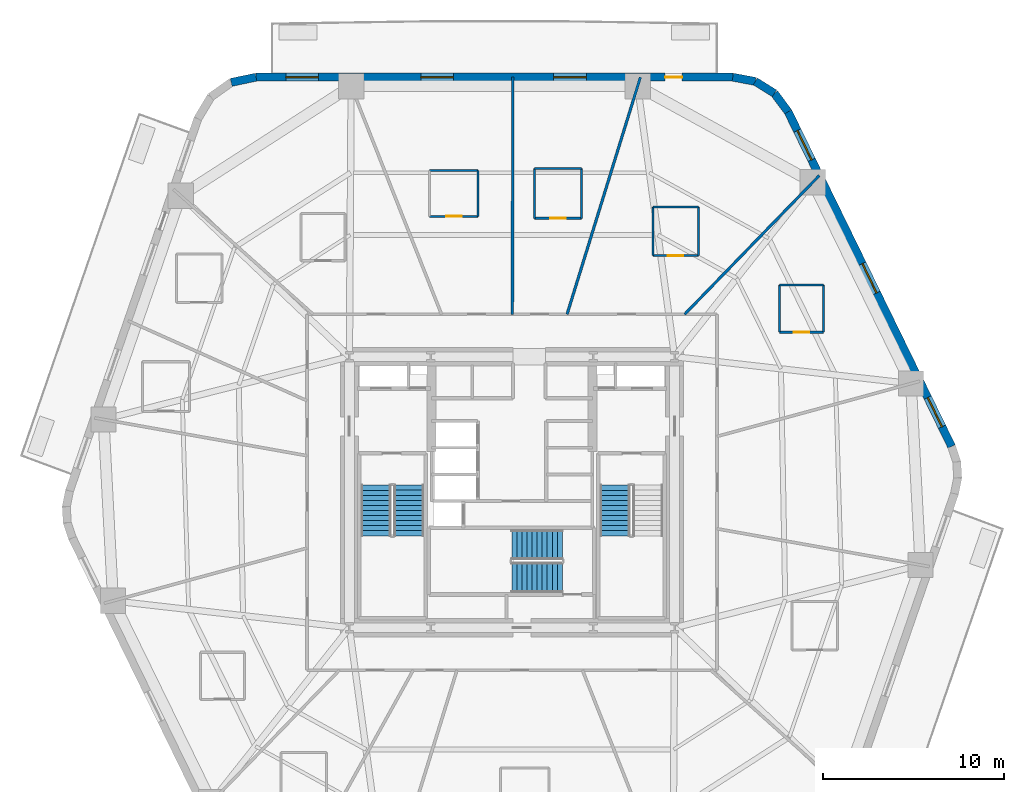
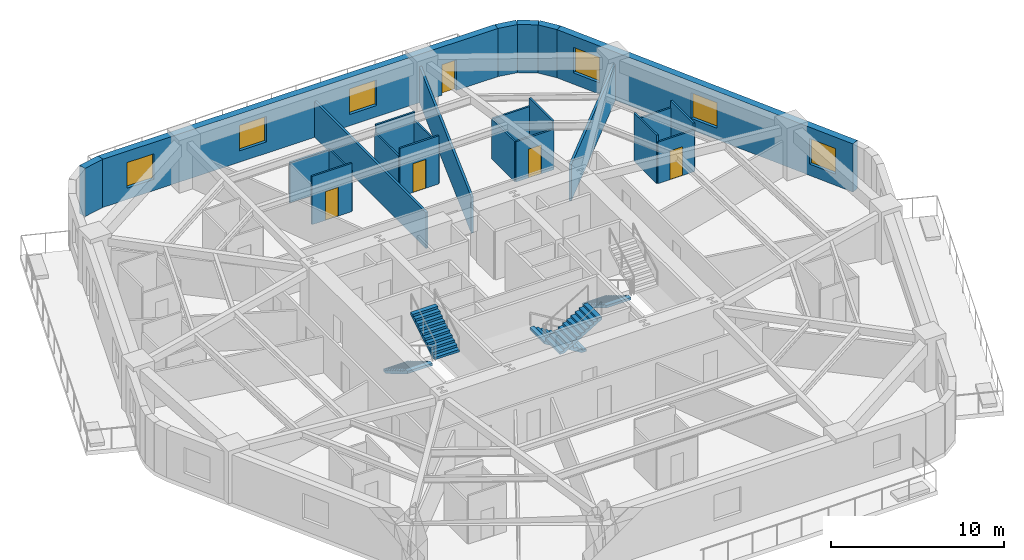
# One storey, part 6 of 10: 24 walls, 6 windows, 5 doors, 5 stair flights, 11 openings, 3 elements without a shape of their own.
"""IFC4 building model written with IfcOpenShell, lengths in metres."""

import ifcopenshell
import ifcopenshell.guid

model = None  # the IFC model being written
_history = None  # IfcOwnerHistory: only IFC2X3 demands one
_inside = {}  # id of a spatial element -> (the spatial element, [elements in it])
_under = {}  # id of a project, library or spatial element -> (it, [spatial elements below it])
_declared = {}  # id of a project -> (the project, [libraries it declares])
_typed = {}  # id of a type object -> (the type object, [elements of that type])
_made_of = {}  # id of a material, layer set ... -> (it, [elements and type objects made of it])


def new_model(schema):
    """Start an empty IFC model of exactly this schema.

    Asked for "IFC4X3", IfcOpenShell would pick the latest addendum, in which some entities
    have other attributes; the version numbers below select the first issue.
    IFC2X3 requires an IfcOwnerHistory on every rooted entity: one is made here for all.
    """
    global model, _history
    if schema == "IFC4X3":
        model = ifcopenshell.file(schema_version=(4, 3, 0, 0))
    else:
        model = ifcopenshell.file(schema=schema)
    _inside.clear()
    _under.clear()
    _declared.clear()
    _typed.clear()
    _made_of.clear()
    _history = None
    if model.schema == "IFC2X3":
        org = make("IfcOrganization", Name="unknown")
        user = make(
            "IfcPersonAndOrganization",
            ThePerson=make("IfcPerson", FamilyName="unknown"),
            TheOrganization=org,
        )
        app = make(
            "IfcApplication",
            ApplicationDeveloper=org,
            Version="unknown",
            ApplicationFullName="unknown",
            ApplicationIdentifier="unknown",
        )
        _history = make(
            "IfcOwnerHistory",
            OwningUser=user,
            OwningApplication=app,
            ChangeAction="ADDED",
            CreationDate=0,
        )
    return model


def make(cls, **values):
    """One entity of the class cls with the attributes given. An attribute that is None is left unset."""
    return model.create_entity(
        cls, **{name: value for name, value in values.items() if value is not None}
    )


def rooted(cls, **values):
    """An entity with a GlobalId (a new one), such as an element, a storey or a relation."""
    return make(cls, GlobalId=ifcopenshell.guid.new(), OwnerHistory=_history, **values)


def si_unit(unit_type, name, prefix=None):
    """IfcSIUnit, for example si_unit("LENGTHUNIT", "METRE", prefix="MILLI")."""
    return make("IfcSIUnit", UnitType=unit_type, Prefix=prefix, Name=name)


def assignment(units):
    """IfcUnitAssignment: the units of a project."""
    return None if units is None else make("IfcUnitAssignment", Units=units)


def point(xyz):
    """IfcCartesianPoint."""
    return None if xyz is None else make("IfcCartesianPoint", Coordinates=xyz)


def direction(xyz):
    """IfcDirection."""
    return None if xyz is None else make("IfcDirection", DirectionRatios=xyz)


def frame(location, z_axis=None, x_axis=None):
    """IfcAxis2Placement3D, a coordinate frame: its origin and axes. An axis left out is left unset."""
    return make(
        "IfcAxis2Placement3D",
        Location=point(location),
        Axis=direction(z_axis),
        RefDirection=direction(x_axis),
    )


def frame_2d(location, x_axis=None):
    """IfcAxis2Placement2D, a coordinate frame in the plane: its origin and x axis."""
    return make(
        "IfcAxis2Placement2D", Location=point(location), RefDirection=direction(x_axis)
    )


def origin():
    """The frame at (0, 0, 0) with its axes left unset."""
    return frame((0.0, 0.0, 0.0))


def place(relative_to, where):
    """IfcLocalPlacement: puts the frame where relative to a parent placement (None: the world)."""
    return make(
        "IfcLocalPlacement", PlacementRelTo=relative_to, RelativePlacement=where
    )


def context(
    kind, dimensions, precision=None, world=None, true_north=None, identifier=None
):
    """IfcGeometricRepresentationContext, for example the 3D "Model" context."""
    return make(
        "IfcGeometricRepresentationContext",
        ContextIdentifier=identifier,
        ContextType=kind,
        CoordinateSpaceDimension=dimensions,
        Precision=precision,
        WorldCoordinateSystem=world,
        TrueNorth=true_north,
    )


def subcontext(parent, identifier, kind, view, scale=None):
    """IfcGeometricRepresentationSubContext, for example "Body" below "Model"."""
    return make(
        "IfcGeometricRepresentationSubContext",
        ContextIdentifier=identifier,
        ContextType=kind,
        ParentContext=parent,
        TargetScale=scale,
        TargetView=view,
    )


def project(units=None, contexts=None):
    """IfcProject with its units and contexts."""
    return rooted(
        "IfcProject",
        Name="project",
        RepresentationContexts=contexts,
        UnitsInContext=assignment(units),
    )


def spatial(cls, under=None, at=None, **own):
    """A site, building, storey or space (cls), placed at a placement, below another one or the project."""
    s = rooted(cls, ObjectPlacement=at, **own)
    if under is not None:
        _under.setdefault(under.id(), (under, []))[1].append(s)
    return s


def polyline(points):
    """IfcPolyline through the points."""
    return make("IfcPolyline", Points=[point(p) for p in points])


def profile(cls, at=None, kind="AREA", **sizes):
    """A parametric profile (cls). Its sizes go by their IFC names, for example OverallWidth=200.0."""
    return make(cls, ProfileType=kind, Position=at, **sizes)


def rectangle(**sizes):
    """IfcRectangleProfileDef."""
    return profile("IfcRectangleProfileDef", **sizes)


def outline(outer, holes=None, kind="AREA"):
    """IfcArbitraryClosedProfileDef: a profile drawn as a closed curve; with holes, ...WithVoids."""
    if holes is None:
        return make("IfcArbitraryClosedProfileDef", ProfileType=kind, OuterCurve=outer)
    return make(
        "IfcArbitraryProfileDefWithVoids",
        ProfileType=kind,
        OuterCurve=outer,
        InnerCurves=holes,
    )


def extrude(swept, where, along, depth):
    """IfcExtrudedAreaSolid: the profile swept, set in the frame where, extruded along a direction by depth."""
    return make(
        "IfcExtrudedAreaSolid",
        SweptArea=swept,
        Position=where,
        ExtrudedDirection=direction(along),
        Depth=depth,
    )


def shape(context_of_items, identifier, shape_type, items):
    """IfcShapeRepresentation: the items that make up one representation, for example the "Body"."""
    return make(
        "IfcShapeRepresentation",
        ContextOfItems=context_of_items,
        RepresentationIdentifier=identifier,
        RepresentationType=shape_type,
        Items=items,
    )


def material(Name=None, Category=None):
    """IfcMaterial."""
    return make("IfcMaterial", Name=Name, Category=Category)


def layer(
    of_material, thickness, ventilated=None, Name=None, Category=None, Priority=None
):
    """IfcMaterialLayer: one layer of a wall or slab, of a material (None: an air gap)."""
    return make(
        "IfcMaterialLayer",
        Material=of_material,
        LayerThickness=thickness,
        IsVentilated=ventilated,
        Name=Name,
        Category=Category,
        Priority=Priority,
    )


def layer_set(layers, Name=None):
    """IfcMaterialLayerSet."""
    return make("IfcMaterialLayerSet", MaterialLayers=layers, LayerSetName=Name)


def made_of(thing, what):
    """Note that an element or type object is made of a material, layer set ...; save() writes the relation."""
    if what is not None:
        _made_of.setdefault(what.id(), (what, []))[1].append(thing)
    return thing


def type_object(cls, material=None, **own):
    """A type object (cls), such as IfcWallType, which elements share."""
    return made_of(rooted(cls, **own), material)


def element(
    cls,
    number,
    at=None,
    inside=None,
    cuts=None,
    type_object=None,
    material=None,
    context=None,
    identifier="Body",
    shape_type=None,
    held_by="IfcProductDefinitionShape",
    body=None,
    shapes=None,
    **own,
):
    """One element of the class cls, such as IfcWall. Its Tag is "e" and its number.

    at: its placement. inside: the storey or other place that contains it. cuts: it is an
    opening in that element (IfcRelVoidsElement). A single representation is given by context,
    identifier, shape_type and body (its items); several are given by shapes. held_by: the class
    of the entity that holds the representations. save() writes the other relations.
    """
    e = rooted(cls, Tag="e%d" % number, ObjectPlacement=at, **own)
    if body is not None:
        shapes = [shape(context, identifier, shape_type, body)]
    if shapes is not None:
        e.Representation = make(held_by, Representations=shapes)
    if inside is not None:
        _inside.setdefault(inside.id(), (inside, []))[1].append(e)
    if cuts is not None:
        rooted(
            "IfcRelVoidsElement", RelatingBuildingElement=cuts, RelatedOpeningElement=e
        )
    if type_object is not None:
        _typed.setdefault(type_object.id(), (type_object, []))[1].append(e)
    return made_of(e, material)


def fill(opening, filler):
    """IfcRelFillsElement: the door or window that sits in an opening."""
    return rooted(
        "IfcRelFillsElement",
        RelatingOpeningElement=opening,
        RelatedBuildingElement=filler,
    )


def aggregate(whole, parts):
    """IfcRelAggregates: a whole, such as a stair, and the parts it consists of."""
    return rooted("IfcRelAggregates", RelatingObject=whole, RelatedObjects=parts)


def save(model, path):
    """Write the relations noted so far, then the file.

    IfcRelAggregates (storeys below a building ...), IfcRelContainedInSpatialStructure (elements
    in a storey), IfcRelDefinesByType, IfcRelAssociatesMaterial and IfcRelDeclares: one each for
    every whole, place, type object, material and project.
    """
    for whole, parts in _under.values():
        aggregate(whole, parts)
    for where, things in _inside.values():
        rooted(
            "IfcRelContainedInSpatialStructure",
            RelatedElements=things,
            RelatingStructure=where,
        )
    for kind, things in _typed.values():
        rooted("IfcRelDefinesByType", RelatedObjects=things, RelatingType=kind)
    for what, things in _made_of.values():
        rooted("IfcRelAssociatesMaterial", RelatedObjects=things, RelatingMaterial=what)
    for by, libraries in _declared.values():
        rooted("IfcRelDeclares", RelatingContext=by, RelatedDefinitions=libraries)
    model.write(path)


model = new_model("IFC4")

# Units and contexts
model_context = context("Model", 3, precision=1e-05, world=origin(), true_north=direction((0.0, 1.0)))
body_context = subcontext(model_context, "Body", "Model", "MODEL_VIEW")
ifc_project = project(units=[si_unit("LENGTHUNIT", "METRE"), si_unit("AREAUNIT", "SQUARE_METRE"), si_unit("VOLUMEUNIT", "CUBIC_METRE"), si_unit("PLANEANGLEUNIT", "RADIAN"), si_unit("MASSUNIT", "GRAM", prefix="KILO")], contexts=[model_context])

# Site, building, storey
site_placement = place(None, origin())
site = spatial("IfcSite", under=ifc_project, at=site_placement, CompositionType="ELEMENT")
building_placement = place(site_placement, origin())
building = spatial("IfcBuilding", under=site, at=building_placement, Name="Kilnhurst Terrace Hotel", CompositionType="ELEMENT")
storey_placement = place(building_placement, frame((0.0, 0.0, 67.5)))
storey = spatial("IfcBuildingStorey", under=building, at=storey_placement, Name="L15", CompositionType="ELEMENT", Elevation=67.5)

# Walls
ifc_material_1 = material(Name="Precast concrete C40/50", Category="concrete")
ifc_layer_1 = layer(ifc_material_1, 0.449951171875, Name="Precast concrete C40/50")
ifc_layer_set_1 = layer_set([ifc_layer_1], Name="Precast concrete C40/50")
wall_type_1 = type_object("IfcWallType", Name="WL-BRK-450", PredefinedType="SOLIDWALL", material=ifc_layer_set_1)
wall_1_placement = place(storey_placement, frame((15.28369140625, 21.0625, 0.0), z_axis=(0.0, 0.0, 1.0), x_axis=(-0.597595366449, 0.801797841104, 0.0)))
element("IfcWall", 1, at=wall_1_placement, inside=storey, type_object=wall_type_1, Name="L15 Rounded Corner Brick Wall C4.1", PredefinedType="SOLIDWALL", context=body_context, shape_type="SweptSolid", body=[
    extrude(rectangle(XDim=1.2685546875, YDim=0.449951171875, at=frame_2d((0.63427734375, 0.0))), origin(), (0.0, 0.0, 1.0), 3.39990234375),
])
wall_2_placement = place(storey_placement, frame((14.525634765625, 22.07958984375, 0.0), z_axis=(0.0, 0.0, 1.0), x_axis=(-0.848185203596, 0.529699783275, 0.0)))
element("IfcWall", 2, at=wall_2_placement, inside=storey, type_object=wall_type_1, Name="L15 Rounded Corner Brick Wall C4.2", PredefinedType="SOLIDWALL", context=body_context, shape_type="SweptSolid", body=[
    extrude(rectangle(XDim=1.247314453125, YDim=0.449951171875, at=frame_2d((0.62353515625, 0.0))), origin(), (0.0, 0.0, 1.0), 3.39990234375),
])
wall_3_placement = place(storey_placement, frame((13.4677734375, 22.740234375, 0.0), z_axis=(0.0, 0.0, 1.0), x_axis=(-0.982717174228, 0.185113358451, 0.0)))
element("IfcWall", 3, at=wall_3_placement, inside=storey, type_object=wall_type_1, Name="L15 Rounded Corner Brick Wall C4.3", PredefinedType="SOLIDWALL", context=body_context, shape_type="SweptSolid", body=[
    extrude(rectangle(XDim=1.268798828125, YDim=0.449951171875, at=frame_2d((0.63427734375, 0.0))), origin(), (0.0, 0.0, 1.0), 3.39990234375),
])
wall_4_placement = place(storey_placement, frame((-14.168212890625, 22.97509765625, 0.0), z_axis=(0.0, 0.0, 1.0), x_axis=(-0.978770371074, -0.204959900243, 0.0)))
element("IfcWall", 4, at=wall_4_placement, inside=storey, type_object=wall_type_1, Name="L15 Rounded Corner Brick Wall C5.1", PredefinedType="SOLIDWALL", context=body_context, shape_type="SweptSolid", body=[
    extrude(rectangle(XDim=1.405517578125, YDim=0.449951171875, at=frame_2d((0.70263671875, 0.0))), origin(), (0.0, 0.0, 1.0), 3.39990234375),
])

# Wall, openings, windows
wall_5_placement = place(storey_placement, frame((24.335693359375, 2.532470703125, 0.0), z_axis=(0.0, 0.0, 1.0), x_axis=(-0.438931326393, 0.898520612291, 0.0)))
wall_5 = element("IfcWall", 5, at=wall_5_placement, inside=storey, type_object=wall_type_1, Name="L15 Exterior Brick Facade Wall F3", PredefinedType="SOLIDWALL", context=body_context, shape_type="SweptSolid", body=[
    extrude(rectangle(XDim=20.622802734375, YDim=0.449951171875, at=frame_2d((10.3115234375, 0.0))), origin(), (0.0, 0.0, 1.0), 3.39990234375),
])
opening_1_placement = place(wall_5_placement, frame((9.4619140625, 0.0, 0.800048828125)))
opening_1 = element("IfcOpeningElement", 6, at=opening_1_placement, cuts=wall_5, Name="Opening W-01", PredefinedType="OPENING", context=body_context, shape_type="SweptSolid", body=[
    extrude(rectangle(XDim=1.800048828125, YDim=1.800048828125, at=frame_2d((0.89990234375, 0.89990234375))), frame((0.0, 0.23486328125, 0.0), z_axis=(0.0, -1.0, 0.0), x_axis=(1.0, 0.0, 0.0)), (0.0, 0.0, 1.0), 0.469970703125),
])
opening_2_placement = place(wall_5_placement, frame((17.659912109375, 0.0, 0.800048828125)))
opening_2 = element("IfcOpeningElement", 7, at=opening_2_placement, cuts=wall_5, Name="Opening W-01", PredefinedType="OPENING", context=body_context, shape_type="SweptSolid", body=[
    extrude(rectangle(XDim=1.800048828125, YDim=1.800048828125, at=frame_2d((0.89990234375, 0.89990234375))), frame((0.0, 0.23486328125, 0.0), z_axis=(0.0, -1.0, 0.0), x_axis=(1.0, 0.0, 0.0)), (0.0, 0.0, 1.0), 0.469970703125),
])
opening_3_placement = place(wall_5_placement, frame((1.214111328125, 0.0, 0.800048828125)))
opening_3 = element("IfcOpeningElement", 8, at=opening_3_placement, cuts=wall_5, Name="Opening W-01", PredefinedType="OPENING", context=body_context, shape_type="SweptSolid", body=[
    extrude(rectangle(XDim=1.800048828125, YDim=1.800048828125, at=frame_2d((0.89990234375, 0.89990234375))), frame((0.0, 0.23486328125, 0.0), z_axis=(0.0, -1.0, 0.0), x_axis=(1.0, 0.0, 0.0)), (0.0, 0.0, 1.0), 0.469970703125),
])
ifc_material_2 = material(Name="Thermally Broken Bronze Aluminium Alloy 6063-T6 and Low-E Glass", Category="aluminium")
window_type = type_object("IfcWindowType", Name="WIN-1800X1800", PartitioningType="SINGLE_PANEL", PredefinedType="WINDOW", material=ifc_material_2)
window_1_placement = place(opening_1_placement, origin())
window_1 = element("IfcWindow", 9, at=window_1_placement, inside=storey, type_object=window_type, Name="L15 Deep-Set Masonry Window F3.1", OverallHeight=1.800048828125, OverallWidth=1.800048828125, PartitioningType="SINGLE_PANEL", PredefinedType="WINDOW", context=body_context, shape_type="SweptSolid", body=[
    extrude(rectangle(XDim=1.800048828125, YDim=1.800048828125, at=frame_2d((0.89990234375, 0.89990234375))), frame((0.0, 0.030029296875, 0.0), z_axis=(0.0, -1.0, 0.0), x_axis=(1.0, 0.0, 0.0)), (0.0, 0.0, 1.0), 0.06005859375),
])
fill(opening_1, window_1)
window_2_placement = place(opening_2_placement, origin())
window_2 = element("IfcWindow", 10, at=window_2_placement, inside=storey, type_object=window_type, Name="L15 Deep-Set Masonry Window F3.2", OverallHeight=1.800048828125, OverallWidth=1.800048828125, PartitioningType="SINGLE_PANEL", PredefinedType="WINDOW", context=body_context, shape_type="SweptSolid", body=[
    extrude(rectangle(XDim=1.800048828125, YDim=1.800048828125, at=frame_2d((0.89990234375, 0.89990234375))), frame((0.0, 0.030029296875, 0.0), z_axis=(0.0, -1.0, 0.0), x_axis=(1.0, 0.0, 0.0)), (0.0, 0.0, 1.0), 0.06005859375),
])
fill(opening_2, window_2)
window_3_placement = place(opening_3_placement, origin())
window_3 = element("IfcWindow", 11, at=window_3_placement, inside=storey, type_object=window_type, Name="L15 Deep-Set Masonry Window F3.3", OverallHeight=1.800048828125, OverallWidth=1.800048828125, PartitioningType="SINGLE_PANEL", PredefinedType="WINDOW", context=body_context, shape_type="SweptSolid", body=[
    extrude(rectangle(XDim=1.800048828125, YDim=1.800048828125, at=frame_2d((0.89990234375, 0.89990234375))), frame((0.0, 0.030029296875, 0.0), z_axis=(0.0, -1.0, 0.0), x_axis=(1.0, 0.0, 0.0)), (0.0, 0.0, 1.0), 0.06005859375),
])
fill(opening_3, window_3)

# Wall, openings, door, windows
wall_6_placement = place(storey_placement, frame((12.220947265625, 22.97509765625, 0.0), z_axis=(0.0, 0.0, 1.0), x_axis=(-1.0, 0.0, 0.0)))
wall_6 = element("IfcWall", 12, at=wall_6_placement, inside=storey, type_object=wall_type_1, Name="L15 Exterior Brick Facade Wall F4", PredefinedType="SOLIDWALL", context=body_context, shape_type="SweptSolid", body=[
    extrude(rectangle(XDim=26.38916015625, YDim=0.449951171875, at=frame_2d((13.194580078125, 0.0))), origin(), (0.0, 0.0, 1.0), 3.39990234375),
])
opening_4_placement = place(wall_6_placement, frame((2.799072265625, 0.0, 0.0)))
opening_4 = element("IfcOpeningElement", 13, at=opening_4_placement, cuts=wall_6, Name="Opening BD-950", PredefinedType="OPENING", context=body_context, shape_type="SweptSolid", body=[
    extrude(rectangle(XDim=0.949951171875, YDim=2.14990234375, at=frame_2d((0.47509765625, 1.074951171875))), frame((0.0, 0.23486328125, 0.0), z_axis=(0.0, -1.0, 0.0), x_axis=(1.0, 0.0, 0.0)), (0.0, 0.0, 1.0), 0.469970703125),
])
opening_5_placement = place(wall_6_placement, frame((8.110107421875, 0.0, 0.800048828125)))
opening_5 = element("IfcOpeningElement", 14, at=opening_5_placement, cuts=wall_6, Name="Opening W-01", PredefinedType="OPENING", context=body_context, shape_type="SweptSolid", body=[
    extrude(rectangle(XDim=1.800048828125, YDim=1.800048828125, at=frame_2d((0.89990234375, 0.89990234375))), frame((0.0, 0.23486328125, 0.0), z_axis=(0.0, -1.0, 0.0), x_axis=(1.0, 0.0, 0.0)), (0.0, 0.0, 1.0), 0.469970703125),
])
opening_6_placement = place(wall_6_placement, frame((15.4599609375, 0.0, 0.800048828125)))
opening_6 = element("IfcOpeningElement", 15, at=opening_6_placement, cuts=wall_6, Name="Opening W-01", PredefinedType="OPENING", context=body_context, shape_type="SweptSolid", body=[
    extrude(rectangle(XDim=1.800048828125, YDim=1.800048828125, at=frame_2d((0.89990234375, 0.89990234375))), frame((0.0, 0.23486328125, 0.0), z_axis=(0.0, -1.0, 0.0), x_axis=(1.0, 0.0, 0.0)), (0.0, 0.0, 1.0), 0.469970703125),
])
opening_7_placement = place(wall_6_placement, frame((22.93798828125, 0.0, 0.800048828125)))
opening_7 = element("IfcOpeningElement", 16, at=opening_7_placement, cuts=wall_6, Name="Opening W-01", PredefinedType="OPENING", context=body_context, shape_type="SweptSolid", body=[
    extrude(rectangle(XDim=1.800048828125, YDim=1.800048828125, at=frame_2d((0.89990234375, 0.89990234375))), frame((0.0, 0.23486328125, 0.0), z_axis=(0.0, -1.0, 0.0), x_axis=(1.0, 0.0, 0.0)), (0.0, 0.0, 1.0), 0.469970703125),
])
ifc_material_3 = material(Name="Thermally Broken Bronze Aluminium Alloy 6063-T6 and Laminated Glass", Category="aluminium")
door_type_1 = type_object("IfcDoorType", Name="DR-EXT-BAL-950", OperationType="NOTDEFINED", PredefinedType="DOOR", material=ifc_material_3)
door_1_placement = place(opening_4_placement, origin())
door_1 = element("IfcDoor", 17, at=door_1_placement, inside=storey, type_object=door_type_1, Name="L15 Planted Balcony Door BAL-L2A", OperationType="SINGLE_SWING_RIGHT", OverallHeight=2.14990234375, OverallWidth=0.949951171875, PredefinedType="DOOR", context=body_context, shape_type="SweptSolid", body=[
    extrude(rectangle(XDim=0.949951171875, YDim=2.14990234375, at=frame_2d((0.47509765625, 1.074951171875))), frame((0.0, 0.02490234375, 0.0), z_axis=(0.0, -1.0, 0.0), x_axis=(1.0, 0.0, 0.0)), (0.0, 0.0, 1.0), 0.050048828125),
])
fill(opening_4, door_1)
window_4_placement = place(opening_5_placement, origin())
window_4 = element("IfcWindow", 18, at=window_4_placement, inside=storey, type_object=window_type, Name="L15 Deep-Set Masonry Window F4.1", OverallHeight=1.800048828125, OverallWidth=1.800048828125, PartitioningType="SINGLE_PANEL", PredefinedType="WINDOW", context=body_context, shape_type="SweptSolid", body=[
    extrude(rectangle(XDim=1.800048828125, YDim=1.800048828125, at=frame_2d((0.89990234375, 0.89990234375))), frame((0.0, 0.030029296875, 0.0), z_axis=(0.0, -1.0, 0.0), x_axis=(1.0, 0.0, 0.0)), (0.0, 0.0, 1.0), 0.06005859375),
])
fill(opening_5, window_4)
window_5_placement = place(opening_6_placement, origin())
window_5 = element("IfcWindow", 19, at=window_5_placement, inside=storey, type_object=window_type, Name="L15 Deep-Set Masonry Window F4.2", OverallHeight=1.800048828125, OverallWidth=1.800048828125, PartitioningType="SINGLE_PANEL", PredefinedType="WINDOW", context=body_context, shape_type="SweptSolid", body=[
    extrude(rectangle(XDim=1.800048828125, YDim=1.800048828125, at=frame_2d((0.89990234375, 0.89990234375))), frame((0.0, 0.030029296875, 0.0), z_axis=(0.0, -1.0, 0.0), x_axis=(1.0, 0.0, 0.0)), (0.0, 0.0, 1.0), 0.06005859375),
])
fill(opening_6, window_5)
window_6_placement = place(opening_7_placement, origin())
window_6 = element("IfcWindow", 20, at=window_6_placement, inside=storey, type_object=window_type, Name="L15 Deep-Set Masonry Window F4.3", OverallHeight=1.800048828125, OverallWidth=1.800048828125, PartitioningType="SINGLE_PANEL", PredefinedType="WINDOW", context=body_context, shape_type="SweptSolid", body=[
    extrude(rectangle(XDim=1.800048828125, YDim=1.800048828125, at=frame_2d((0.89990234375, 0.89990234375))), frame((0.0, 0.030029296875, 0.0), z_axis=(0.0, -1.0, 0.0), x_axis=(1.0, 0.0, 0.0)), (0.0, 0.0, 1.0), 0.06005859375),
])
fill(opening_7, window_6)

# Walls
ifc_material_4 = material(Name="STC-58 Acoustic Twin-Frame Guestroom Demising Partition")
ifc_layer_2 = layer(ifc_material_4, 0.14990234375, Name="STC-58 Acoustic Twin-Frame Guestroom Demising Partition")
ifc_layer_set_2 = layer_set([ifc_layer_2], Name="STC-58 Acoustic Twin-Frame Guestroom Demising Partition")
wall_type_2 = type_object("IfcWallType", Name="WL-DEM-150", PredefinedType="PARTITIONING", material=ifc_layer_set_2)
wall_7_placement = place(storey_placement, frame((9.5576171875, 9.85009765625, 0.0), z_axis=(0.0, 0.0, 1.0), x_axis=(0.69638346089, 0.717669893056, 0.0)))
element("IfcWall", 21, at=wall_7_placement, inside=storey, type_object=wall_type_2, Name="L15 Interior Wall WL-L15-DEM-COL02-02-1", PredefinedType="PARTITIONING", context=body_context, shape_type="SweptSolid", body=[
    extrude(rectangle(XDim=10.700927734375, YDim=0.14990234375, at=frame_2d((5.3505859375, 0.0))), origin(), (0.0, 0.0, 1.0), 2.5400390625),
])
wall_8_placement = place(storey_placement, frame((3.047607421875, 9.85009765625, 0.0), z_axis=(0.0, 0.0, 1.0), x_axis=(0.295553992761, 0.955326037206, 0.0)))
element("IfcWall", 22, at=wall_8_placement, inside=storey, type_object=wall_type_2, Name="L15 Interior Wall WL-L15-DEM-COL03-03-1", PredefinedType="PARTITIONING", context=body_context, shape_type="SweptSolid", body=[
    extrude(rectangle(XDim=13.73876953125, YDim=0.14990234375, at=frame_2d((6.869384765625, 0.0))), origin(), (0.0, 0.0, 1.0), 2.5400390625),
])
wall_9_placement = place(storey_placement, frame((0.0205078125, 9.85009765625, 0.0), z_axis=(0.0, 0.0, 1.0), x_axis=(0.002064727742, 0.999997868447, 0.0)))
element("IfcWall", 23, at=wall_9_placement, inside=storey, type_object=wall_type_2, Name="L15 Interior Wall WL-L15-DEM-MID03-04-1", PredefinedType="PARTITIONING", context=body_context, shape_type="SweptSolid", body=[
    extrude(rectangle(XDim=13.125, YDim=0.14990234375, at=frame_2d((6.5625, 0.0))), origin(), (0.0, 0.0, 1.0), 2.5400390625),
])

# Wall, opening, door
ifc_material_5 = material(Name="120 mm Moisture-Resistant Tile-Backed Bathroom Partition")
ifc_layer_3 = layer(ifc_material_5, 0.1201171875, Name="120 mm Moisture-Resistant Tile-Backed Bathroom Partition")
ifc_layer_set_3 = layer_set([ifc_layer_3], Name="120 mm Moisture-Resistant Tile-Backed Bathroom Partition")
wall_type_3 = type_object("IfcWallType", Name="WL-PART-120", PredefinedType="PARTITIONING", material=ifc_layer_set_3)
wall_10_placement = place(storey_placement, frame((14.803955078125, 8.860107421875, 0.0), z_axis=(0.0, 0.0, 1.0), x_axis=(1.0, 0.0, 0.0)))
wall_10 = element("IfcWall", 24, at=wall_10_placement, inside=storey, type_object=wall_type_3, Name="L15 Interior Wall WL-L15-BTH-01-1", PredefinedType="PARTITIONING", context=body_context, shape_type="SweptSolid", body=[
    extrude(rectangle(XDim=2.43994140625, YDim=0.1201171875, at=frame_2d((1.219970703125, 0.0))), origin(), (0.0, 0.0, 1.0), 2.926513671875),
])
opening_8_placement = place(wall_10_placement, frame((0.794921875, 0.0, 0.0)))
opening_8 = element("IfcOpeningElement", 25, at=opening_8_placement, cuts=wall_10, Name="Opening D-08A", PredefinedType="OPENING", context=body_context, shape_type="SweptSolid", body=[
    extrude(rectangle(XDim=0.85009765625, YDim=2.030029296875, at=frame_2d((0.425048828125, 1.01513671875))), frame((0.0, 0.070068359375, 0.0), z_axis=(0.0, -1.0, 0.0), x_axis=(1.0, 0.0, 0.0)), (0.0, 0.0, 1.0), 0.14013671875),
])
ifc_material_6 = material(Name="Moisture-Resistant Lacquered En-suite Bathroom Door")
door_type_2 = type_object("IfcDoorType", Name="DR-INT-850", OperationType="NOTDEFINED", PredefinedType="DOOR", material=ifc_material_6)
door_2_placement = place(opening_8_placement, origin())
door_2 = element("IfcDoor", 26, at=door_2_placement, inside=storey, type_object=door_type_2, Name="L15 En-suite Bathroom Door 1", OperationType="SINGLE_SWING_RIGHT", OverallHeight=2.030029296875, OverallWidth=0.85009765625, PredefinedType="DOOR", context=body_context, shape_type="SweptSolid", body=[
    extrude(rectangle(XDim=0.85009765625, YDim=2.030029296875, at=frame_2d((0.425048828125, 1.01513671875))), frame((0.0, 0.02490234375, 0.0), z_axis=(0.0, -1.0, 0.0), x_axis=(1.0, 0.0, 0.0)), (0.0, 0.0, 1.0), 0.050048828125),
])
fill(opening_8, door_2)

# Walls
wall_11_placement = place(storey_placement, frame((17.243896484375, 8.860107421875, 0.0), z_axis=(0.0, 0.0, 1.0), x_axis=(0.0, 1.0, 0.0)))
element("IfcWall", 27, at=wall_11_placement, inside=storey, type_object=wall_type_3, Name="L15 Interior Wall WL-L15-BTH-01-2", PredefinedType="PARTITIONING", context=body_context, shape_type="SweptSolid", body=[
    extrude(rectangle(XDim=2.60986328125, YDim=0.1201171875, at=frame_2d((1.304931640625, 0.0))), origin(), (0.0, 0.0, 1.0), 3.39990234375),
])
wall_12_placement = place(storey_placement, frame((17.243896484375, 11.469970703125, 0.0), z_axis=(0.0, 0.0, 1.0), x_axis=(-1.0, 0.0, 0.0)))
element("IfcWall", 28, at=wall_12_placement, inside=storey, type_object=wall_type_3, Name="L15 Interior Wall WL-L15-BTH-01-3", PredefinedType="PARTITIONING", context=body_context, shape_type="SweptSolid", body=[
    extrude(rectangle(XDim=2.43994140625, YDim=0.1201171875, at=frame_2d((1.219970703125, 0.0))), origin(), (0.0, 0.0, 1.0), 2.926513671875),
])
wall_13_placement = place(storey_placement, frame((14.803955078125, 11.469970703125, 0.0), z_axis=(0.0, 0.0, 1.0), x_axis=(0.0, -1.0, 0.0)))
element("IfcWall", 29, at=wall_13_placement, inside=storey, type_object=wall_type_3, Name="L15 Interior Wall WL-L15-BTH-01-4", PredefinedType="PARTITIONING", context=body_context, shape_type="SweptSolid", body=[
    extrude(rectangle(XDim=2.60986328125, YDim=0.1201171875, at=frame_2d((1.304931640625, 0.0))), origin(), (0.0, 0.0, 1.0), 3.39990234375),
])

# Wall, opening, door
wall_14_placement = place(storey_placement, frame((7.798095703125, 13.10107421875, 0.0), z_axis=(0.0, 0.0, 1.0), x_axis=(1.0, 0.0, 0.0)))
wall_14 = element("IfcWall", 30, at=wall_14_placement, inside=storey, type_object=wall_type_3, Name="L15 Interior Wall WL-L15-BTH-02-1", PredefinedType="PARTITIONING", context=body_context, shape_type="SweptSolid", body=[
    extrude(rectangle(XDim=2.52001953125, YDim=0.1201171875, at=frame_2d((1.260009765625, 0.0))), origin(), (0.0, 0.0, 1.0), 2.840087890625),
])
opening_9_placement = place(wall_14_placement, frame((0.8349609375, 0.0, 0.0)))
opening_9 = element("IfcOpeningElement", 31, at=opening_9_placement, cuts=wall_14, Name="Opening D-08A", PredefinedType="OPENING", context=body_context, shape_type="SweptSolid", body=[
    extrude(rectangle(XDim=0.85009765625, YDim=2.030029296875, at=frame_2d((0.425048828125, 1.01513671875))), frame((0.0, 0.070068359375, 0.0), z_axis=(0.0, -1.0, 0.0), x_axis=(1.0, 0.0, 0.0)), (0.0, 0.0, 1.0), 0.14013671875),
])
door_3_placement = place(opening_9_placement, origin())
door_3 = element("IfcDoor", 32, at=door_3_placement, inside=storey, type_object=door_type_2, Name="L15 En-suite Bathroom Door 2", OperationType="SINGLE_SWING_LEFT", OverallHeight=2.030029296875, OverallWidth=0.85009765625, PredefinedType="DOOR", context=body_context, shape_type="SweptSolid", body=[
    extrude(rectangle(XDim=0.85009765625, YDim=2.030029296875, at=frame_2d((0.425048828125, 1.01513671875))), frame((0.0, 0.02490234375, 0.0), z_axis=(0.0, -1.0, 0.0), x_axis=(1.0, 0.0, 0.0)), (0.0, 0.0, 1.0), 0.050048828125),
])
fill(opening_9, door_3)

# Walls
wall_15_placement = place(storey_placement, frame((10.318115234375, 13.10107421875, 0.0), z_axis=(0.0, 0.0, 1.0), x_axis=(0.0, 1.0, 0.0)))
element("IfcWall", 33, at=wall_15_placement, inside=storey, type_object=wall_type_3, Name="L15 Interior Wall WL-L15-BTH-02-2", PredefinedType="PARTITIONING", context=body_context, shape_type="SweptSolid", body=[
    extrude(rectangle(XDim=2.679931640625, YDim=0.1201171875, at=frame_2d((1.33984375, 0.0))), origin(), (0.0, 0.0, 1.0), 3.39990234375),
])
wall_16_placement = place(storey_placement, frame((10.318115234375, 15.781005859375, 0.0), z_axis=(0.0, 0.0, 1.0), x_axis=(-1.0, 0.0, 0.0)))
element("IfcWall", 34, at=wall_16_placement, inside=storey, type_object=wall_type_3, Name="L15 Interior Wall WL-L15-BTH-02-3", PredefinedType="PARTITIONING", context=body_context, shape_type="SweptSolid", body=[
    extrude(rectangle(XDim=2.52001953125, YDim=0.1201171875, at=frame_2d((1.260009765625, 0.0))), origin(), (0.0, 0.0, 1.0), 2.840087890625),
])
wall_17_placement = place(storey_placement, frame((7.798095703125, 15.781005859375, 0.0), z_axis=(0.0, 0.0, 1.0), x_axis=(0.0, -1.0, 0.0)))
element("IfcWall", 35, at=wall_17_placement, inside=storey, type_object=wall_type_3, Name="L15 Interior Wall WL-L15-BTH-02-4", PredefinedType="PARTITIONING", context=body_context, shape_type="SweptSolid", body=[
    extrude(rectangle(XDim=2.679931640625, YDim=0.1201171875, at=frame_2d((1.33984375, 0.0))), origin(), (0.0, 0.0, 1.0), 2.840087890625),
])

# Wall, opening, door
wall_18_placement = place(storey_placement, frame((1.2509765625, 15.162109375, 0.0), z_axis=(0.0, 0.0, 1.0), x_axis=(1.0, 0.0, 0.0)))
wall_18 = element("IfcWall", 36, at=wall_18_placement, inside=storey, type_object=wall_type_3, Name="L15 Interior Wall WL-L15-BTH-03-1", PredefinedType="PARTITIONING", context=body_context, shape_type="SweptSolid", body=[
    extrude(rectangle(XDim=2.60009765625, YDim=0.1201171875, at=frame_2d((1.300048828125, 0.0))), origin(), (0.0, 0.0, 1.0), 3.39990234375),
])
opening_10_placement = place(wall_18_placement, frame((0.875, 0.0, 0.0)))
opening_10 = element("IfcOpeningElement", 37, at=opening_10_placement, cuts=wall_18, Name="Opening D-08A", PredefinedType="OPENING", context=body_context, shape_type="SweptSolid", body=[
    extrude(rectangle(XDim=0.85009765625, YDim=2.030029296875, at=frame_2d((0.425048828125, 1.01513671875))), frame((0.0, 0.070068359375, 0.0), z_axis=(0.0, -1.0, 0.0), x_axis=(1.0, 0.0, 0.0)), (0.0, 0.0, 1.0), 0.14013671875),
])
door_4_placement = place(opening_10_placement, origin())
door_4 = element("IfcDoor", 38, at=door_4_placement, inside=storey, type_object=door_type_2, Name="L15 En-suite Bathroom Door 3", OperationType="SINGLE_SWING_RIGHT", OverallHeight=2.030029296875, OverallWidth=0.85009765625, PredefinedType="DOOR", context=body_context, shape_type="SweptSolid", body=[
    extrude(rectangle(XDim=0.85009765625, YDim=2.030029296875, at=frame_2d((0.425048828125, 1.01513671875))), frame((0.0, 0.02490234375, 0.0), z_axis=(0.0, -1.0, 0.0), x_axis=(1.0, 0.0, 0.0)), (0.0, 0.0, 1.0), 0.050048828125),
])
fill(opening_10, door_4)

# Walls
wall_19_placement = place(storey_placement, frame((3.85107421875, 15.162109375, 0.0), z_axis=(0.0, 0.0, 1.0), x_axis=(0.0, 1.0, 0.0)))
element("IfcWall", 39, at=wall_19_placement, inside=storey, type_object=wall_type_3, Name="L15 Interior Wall WL-L15-BTH-03-2", PredefinedType="PARTITIONING", context=body_context, shape_type="SweptSolid", body=[
    extrude(rectangle(XDim=2.75, YDim=0.1201171875, at=frame_2d((1.375, 0.0))), origin(), (0.0, 0.0, 1.0), 2.84033203125),
])
wall_20_placement = place(storey_placement, frame((3.85107421875, 17.912109375, 0.0), z_axis=(0.0, 0.0, 1.0), x_axis=(-1.0, 0.0, 0.0)))
element("IfcWall", 40, at=wall_20_placement, inside=storey, type_object=wall_type_3, Name="L15 Interior Wall WL-L15-BTH-03-3", PredefinedType="PARTITIONING", context=body_context, shape_type="SweptSolid", body=[
    extrude(rectangle(XDim=2.60009765625, YDim=0.1201171875, at=frame_2d((1.300048828125, 0.0))), origin(), (0.0, 0.0, 1.0), 3.39990234375),
])
wall_21_placement = place(storey_placement, frame((1.2509765625, 17.912109375, 0.0), z_axis=(0.0, 0.0, 1.0), x_axis=(0.0, -1.0, 0.0)))
element("IfcWall", 41, at=wall_21_placement, inside=storey, type_object=wall_type_3, Name="L15 Interior Wall WL-L15-BTH-03-4", PredefinedType="PARTITIONING", context=body_context, shape_type="SweptSolid", body=[
    extrude(rectangle(XDim=2.75, YDim=0.1201171875, at=frame_2d((1.375, 0.0))), origin(), (0.0, 0.0, 1.0), 2.84033203125),
])

# Wall, opening, door
wall_22_placement = place(storey_placement, frame((-4.55908203125, 15.26708984375, 0.0), z_axis=(0.0, 0.0, 1.0), x_axis=(1.0, 0.0, 0.0)))
wall_22 = element("IfcWall", 42, at=wall_22_placement, inside=storey, type_object=wall_type_3, Name="L15 Interior Wall WL-L15-BTH-04-1", PredefinedType="PARTITIONING", context=body_context, shape_type="SweptSolid", body=[
    extrude(rectangle(XDim=2.68017578125, YDim=0.1201171875, at=frame_2d((1.340087890625, 0.0))), origin(), (0.0, 0.0, 1.0), 3.39990234375),
])
opening_11_placement = place(wall_22_placement, frame((0.9150390625, 0.0, 0.0)))
opening_11 = element("IfcOpeningElement", 43, at=opening_11_placement, cuts=wall_22, Name="Opening D-08A", PredefinedType="OPENING", context=body_context, shape_type="SweptSolid", body=[
    extrude(rectangle(XDim=0.85009765625, YDim=2.030029296875, at=frame_2d((0.425048828125, 1.01513671875))), frame((0.0, 0.070068359375, 0.0), z_axis=(0.0, -1.0, 0.0), x_axis=(1.0, 0.0, 0.0)), (0.0, 0.0, 1.0), 0.14013671875),
])
door_5_placement = place(opening_11_placement, origin())
door_5 = element("IfcDoor", 44, at=door_5_placement, inside=storey, type_object=door_type_2, Name="L15 En-suite Bathroom Door 4", OperationType="SINGLE_SWING_LEFT", OverallHeight=2.030029296875, OverallWidth=0.85009765625, PredefinedType="DOOR", context=body_context, shape_type="SweptSolid", body=[
    extrude(rectangle(XDim=0.85009765625, YDim=2.030029296875, at=frame_2d((0.425048828125, 1.01513671875))), frame((0.0, 0.02490234375, 0.0), z_axis=(0.0, -1.0, 0.0), x_axis=(1.0, 0.0, 0.0)), (0.0, 0.0, 1.0), 0.050048828125),
])
fill(opening_11, door_5)

# Walls
wall_23_placement = place(storey_placement, frame((-1.87890625, 15.26708984375, 0.0), z_axis=(0.0, 0.0, 1.0), x_axis=(0.0, 1.0, 0.0)))
element("IfcWall", 45, at=wall_23_placement, inside=storey, type_object=wall_type_3, Name="L15 Interior Wall WL-L15-BTH-04-2", PredefinedType="PARTITIONING", context=body_context, shape_type="SweptSolid", body=[
    extrude(rectangle(XDim=2.539794921875, YDim=0.1201171875, at=frame_2d((1.27001953125, 0.0))), origin(), (0.0, 0.0, 1.0), 2.84033203125),
])
wall_24_placement = place(storey_placement, frame((-1.87890625, 17.806884765625, 0.0), z_axis=(0.0, 0.0, 1.0), x_axis=(-1.0, 0.0, 0.0)))
element("IfcWall", 46, at=wall_24_placement, inside=storey, type_object=wall_type_3, Name="L15 Interior Wall WL-L15-BTH-04-3", PredefinedType="PARTITIONING", context=body_context, shape_type="SweptSolid", body=[
    extrude(rectangle(XDim=2.68017578125, YDim=0.1201171875, at=frame_2d((1.340087890625, 0.0))), origin(), (0.0, 0.0, 1.0), 2.84033203125),
])

# Stair, stair flights
ifc_material_7 = material(Name="Concrete C50/60", Category="concrete")
stair_type = type_object("IfcStairType", Name="STR-CORE-1660", PredefinedType="HALF_TURN_STAIR", material=ifc_material_7)
stair_1_placement = place(storey_placement, origin())
stair_1 = element("IfcStair", 47, at=stair_1_placement, inside=storey, type_object=stair_type, Name="L15 ST-1", PredefinedType="HALF_TURN_STAIR")
stair_flight_type = type_object("IfcStairFlightType", Name="FLT-RC-1660", PredefinedType="STRAIGHT", material=ifc_material_7)
stair_flight_1_placement = place(storey_placement, frame((-7.52001953125, 0.389892578125, 0.0), z_axis=(0.0, 0.0, 1.0), x_axis=(0.0, -1.0, 0.0)))
stair_flight_1 = element("IfcStairFlight", 48, at=stair_flight_1_placement, type_object=stair_flight_type, Name="ST-1 flight 1", NumberOfRisers=11, NumberOfTreads=10, PredefinedType="STRAIGHT", RiserHeight=0.168181818, TreadLength=0.28, context=body_context, shape_type="SweptSolid", body=[
    extrude(outline(polyline([(0.0, 0.0), (0.0, 0.168212890625), (0.280029296875, 0.168212890625), (0.280029296875, 0.33642578125), (0.56005859375, 0.33642578125), (0.56005859375, 0.504638671875), (0.840087890625, 0.504638671875), (0.840087890625, 0.672607421875), (1.1201171875, 0.672607421875), (1.1201171875, 0.8408203125), (1.39990234375, 0.8408203125), (1.39990234375, 1.009033203125), (1.679931640625, 1.009033203125), (1.679931640625, 1.17724609375), (1.9599609375, 1.17724609375), (1.9599609375, 1.345458984375), (2.239990234375, 1.345458984375), (2.239990234375, 1.513671875), (2.52001953125, 1.513671875), (2.52001953125, 1.681884765625), (2.800048828125, 1.681884765625), (2.800048828125, 1.85009765625), (2.800048828125, 1.5068359375), (0.291015625, 0.0), (0.0, 0.0)])), frame((0.0, 0.830078125, 0.0), z_axis=(0.0, -1.0, 0.0), x_axis=(1.0, 0.0, 0.0)), (0.0, 0.0, 1.0), 1.659912109375),
])
stair_flight_2_placement = place(storey_placement, frame((-5.7099609375, -2.409912109375, 1.85009765625), z_axis=(0.0, 0.0, 1.0), x_axis=(0.0, 1.0, 0.0)))
stair_flight_2 = element("IfcStairFlight", 49, at=stair_flight_2_placement, type_object=stair_flight_type, Name="ST-1 flight 2", NumberOfRisers=11, NumberOfTreads=10, PredefinedType="STRAIGHT", RiserHeight=0.168181818, TreadLength=0.28, context=body_context, shape_type="SweptSolid", body=[
    extrude(outline(polyline([(0.0, 0.0), (0.0, 0.168212890625), (0.280029296875, 0.168212890625), (0.280029296875, 0.33642578125), (0.56005859375, 0.33642578125), (0.56005859375, 0.504638671875), (0.840087890625, 0.504638671875), (0.840087890625, 0.672607421875), (1.1201171875, 0.672607421875), (1.1201171875, 0.8408203125), (1.39990234375, 0.8408203125), (1.39990234375, 1.009033203125), (1.679931640625, 1.009033203125), (1.679931640625, 1.17724609375), (1.9599609375, 1.17724609375), (1.9599609375, 1.345458984375), (2.239990234375, 1.345458984375), (2.239990234375, 1.513671875), (2.52001953125, 1.513671875), (2.52001953125, 1.681884765625), (2.800048828125, 1.681884765625), (2.800048828125, 1.85009765625), (2.800048828125, 1.5068359375), (0.291015625, 0.0), (0.0, 0.0)])), frame((0.0, 0.830078125, 0.0), z_axis=(0.0, -1.0, 0.0), x_axis=(1.0, 0.0, 0.0)), (0.0, 0.0, 1.0), 1.659912109375),
])
aggregate(stair_1, [stair_flight_1, stair_flight_2])

# Stair, stair flight
stair_2_placement = place(storey_placement, origin())
stair_2 = element("IfcStair", 50, at=stair_2_placement, inside=storey, type_object=stair_type, Name="L15 ST-2", PredefinedType="HALF_TURN_STAIR")
stair_flight_3_placement = place(storey_placement, frame((5.7099609375, 0.389892578125, 0.0), z_axis=(0.0, 0.0, 1.0), x_axis=(0.0, -1.0, 0.0)))
stair_flight_3 = element("IfcStairFlight", 51, at=stair_flight_3_placement, type_object=stair_flight_type, Name="ST-2 flight 1", NumberOfRisers=11, NumberOfTreads=10, PredefinedType="STRAIGHT", RiserHeight=0.168181818, TreadLength=0.28, context=body_context, shape_type="SweptSolid", body=[
    extrude(outline(polyline([(0.0, 0.0), (0.0, 0.168212890625), (0.280029296875, 0.168212890625), (0.280029296875, 0.33642578125), (0.56005859375, 0.33642578125), (0.56005859375, 0.504638671875), (0.840087890625, 0.504638671875), (0.840087890625, 0.672607421875), (1.1201171875, 0.672607421875), (1.1201171875, 0.8408203125), (1.39990234375, 0.8408203125), (1.39990234375, 1.009033203125), (1.679931640625, 1.009033203125), (1.679931640625, 1.17724609375), (1.9599609375, 1.17724609375), (1.9599609375, 1.345458984375), (2.239990234375, 1.345458984375), (2.239990234375, 1.513671875), (2.52001953125, 1.513671875), (2.52001953125, 1.681884765625), (2.800048828125, 1.681884765625), (2.800048828125, 1.85009765625), (2.800048828125, 1.5068359375), (0.291015625, 0.0), (0.0, 0.0)])), frame((0.0, 0.830078125, 0.0), z_axis=(0.0, -1.0, 0.0), x_axis=(1.0, 0.0, 0.0)), (0.0, 0.0, 1.0), 1.659912109375),
])
aggregate(stair_2, [stair_flight_3])

# Stair, stair flights
stair_3_placement = place(storey_placement, origin())
stair_3 = element("IfcStair", 52, at=stair_3_placement, inside=storey, type_object=stair_type, Name="L15 ST-3", PredefinedType="HALF_TURN_STAIR")
stair_flight_4_placement = place(storey_placement, frame((2.7900390625, -2.909912109375, 0.0), z_axis=(0.0, 0.0, 1.0), x_axis=(-1.0, 0.0, 0.0)))
stair_flight_4 = element("IfcStairFlight", 53, at=stair_flight_4_placement, type_object=stair_flight_type, Name="ST-3 flight 1", NumberOfRisers=11, NumberOfTreads=10, PredefinedType="STRAIGHT", RiserHeight=0.168181818, TreadLength=0.28, context=body_context, shape_type="SweptSolid", body=[
    extrude(outline(polyline([(0.0, 0.0), (0.0, 0.168212890625), (0.280029296875, 0.168212890625), (0.280029296875, 0.33642578125), (0.56005859375, 0.33642578125), (0.56005859375, 0.504638671875), (0.840087890625, 0.504638671875), (0.840087890625, 0.672607421875), (1.1201171875, 0.672607421875), (1.1201171875, 0.8408203125), (1.39990234375, 0.8408203125), (1.39990234375, 1.009033203125), (1.679931640625, 1.009033203125), (1.679931640625, 1.17724609375), (1.9599609375, 1.17724609375), (1.9599609375, 1.345458984375), (2.239990234375, 1.345458984375), (2.239990234375, 1.513671875), (2.52001953125, 1.513671875), (2.52001953125, 1.681884765625), (2.800048828125, 1.681884765625), (2.800048828125, 1.85009765625), (2.800048828125, 1.5068359375), (0.291015625, 0.0), (0.0, 0.0)])), frame((0.0, 0.830078125, 0.0), z_axis=(0.0, -1.0, 0.0), x_axis=(1.0, 0.0, 0.0)), (0.0, 0.0, 1.0), 1.659912109375),
])
stair_flight_5_placement = place(storey_placement, frame((-0.010009765625, -4.719970703125, 1.85009765625), z_axis=(0.0, 0.0, 1.0), x_axis=(1.0, 0.0, 0.0)))
stair_flight_5 = element("IfcStairFlight", 54, at=stair_flight_5_placement, type_object=stair_flight_type, Name="ST-3 flight 2", NumberOfRisers=11, NumberOfTreads=10, PredefinedType="STRAIGHT", RiserHeight=0.168181818, TreadLength=0.28, context=body_context, shape_type="SweptSolid", body=[
    extrude(outline(polyline([(0.0, 0.0), (0.0, 0.168212890625), (0.280029296875, 0.168212890625), (0.280029296875, 0.33642578125), (0.56005859375, 0.33642578125), (0.56005859375, 0.504638671875), (0.840087890625, 0.504638671875), (0.840087890625, 0.672607421875), (1.1201171875, 0.672607421875), (1.1201171875, 0.8408203125), (1.39990234375, 0.8408203125), (1.39990234375, 1.009033203125), (1.679931640625, 1.009033203125), (1.679931640625, 1.17724609375), (1.9599609375, 1.17724609375), (1.9599609375, 1.345458984375), (2.239990234375, 1.345458984375), (2.239990234375, 1.513671875), (2.52001953125, 1.513671875), (2.52001953125, 1.681884765625), (2.800048828125, 1.681884765625), (2.800048828125, 1.85009765625), (2.800048828125, 1.5068359375), (0.291015625, 0.0), (0.0, 0.0)])), frame((0.0, 0.830078125, 0.0), z_axis=(0.0, -1.0, 0.0), x_axis=(1.0, 0.0, 0.0)), (0.0, 0.0, 1.0), 1.659912109375),
])
aggregate(stair_3, [stair_flight_4, stair_flight_5])

save(model, "model.ifc")
